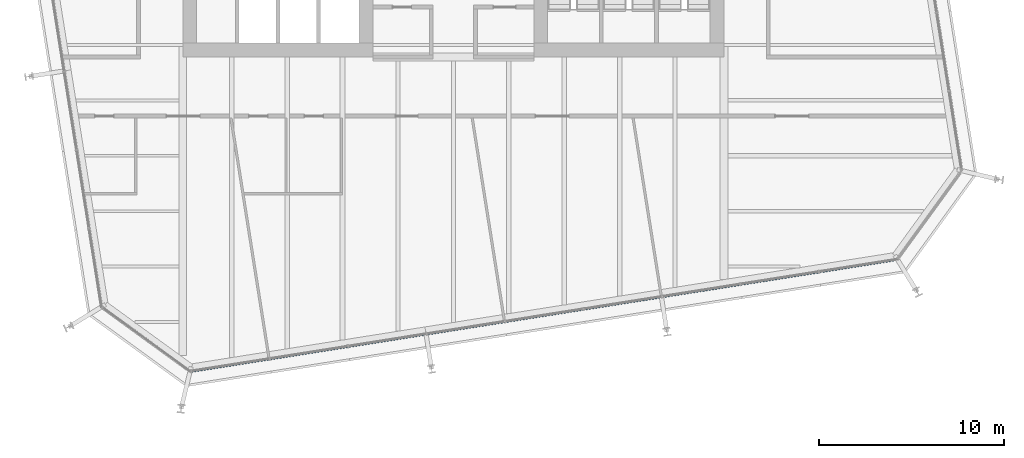
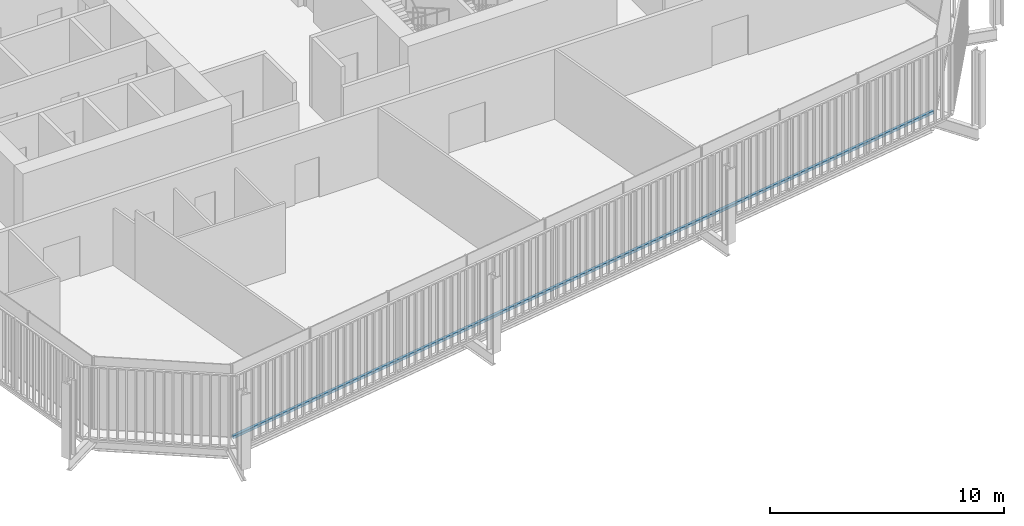
# One storey, part 7 of 21: 1 member, 1 element without a shape of its own.
"""IFC4 building model written with IfcOpenShell, lengths in metres."""

import ifcopenshell
import ifcopenshell.guid

model = None  # the IFC model being written
_history = None  # IfcOwnerHistory: only IFC2X3 demands one
_inside = {}  # id of a spatial element -> (the spatial element, [elements in it])
_under = {}  # id of a project, library or spatial element -> (it, [spatial elements below it])
_declared = {}  # id of a project -> (the project, [libraries it declares])
_typed = {}  # id of a type object -> (the type object, [elements of that type])
_made_of = {}  # id of a material, layer set ... -> (it, [elements and type objects made of it])


def new_model(schema):
    """Start an empty IFC model of exactly this schema.

    Asked for "IFC4X3", IfcOpenShell would pick the latest addendum, in which some entities
    have other attributes; the version numbers below select the first issue.
    IFC2X3 requires an IfcOwnerHistory on every rooted entity: one is made here for all.
    """
    global model, _history
    if schema == "IFC4X3":
        model = ifcopenshell.file(schema_version=(4, 3, 0, 0))
    else:
        model = ifcopenshell.file(schema=schema)
    _inside.clear()
    _under.clear()
    _declared.clear()
    _typed.clear()
    _made_of.clear()
    _history = None
    if model.schema == "IFC2X3":
        org = make("IfcOrganization", Name="unknown")
        user = make(
            "IfcPersonAndOrganization",
            ThePerson=make("IfcPerson", FamilyName="unknown"),
            TheOrganization=org,
        )
        app = make(
            "IfcApplication",
            ApplicationDeveloper=org,
            Version="unknown",
            ApplicationFullName="unknown",
            ApplicationIdentifier="unknown",
        )
        _history = make(
            "IfcOwnerHistory",
            OwningUser=user,
            OwningApplication=app,
            ChangeAction="ADDED",
            CreationDate=0,
        )
    return model


def make(cls, **values):
    """One entity of the class cls with the attributes given. An attribute that is None is left unset."""
    return model.create_entity(
        cls, **{name: value for name, value in values.items() if value is not None}
    )


def rooted(cls, **values):
    """An entity with a GlobalId (a new one), such as an element, a storey or a relation."""
    return make(cls, GlobalId=ifcopenshell.guid.new(), OwnerHistory=_history, **values)


def si_unit(unit_type, name, prefix=None):
    """IfcSIUnit, for example si_unit("LENGTHUNIT", "METRE", prefix="MILLI")."""
    return make("IfcSIUnit", UnitType=unit_type, Prefix=prefix, Name=name)


def assignment(units):
    """IfcUnitAssignment: the units of a project."""
    return None if units is None else make("IfcUnitAssignment", Units=units)


def point(xyz):
    """IfcCartesianPoint."""
    return None if xyz is None else make("IfcCartesianPoint", Coordinates=xyz)


def direction(xyz):
    """IfcDirection."""
    return None if xyz is None else make("IfcDirection", DirectionRatios=xyz)


def frame(location, z_axis=None, x_axis=None):
    """IfcAxis2Placement3D, a coordinate frame: its origin and axes. An axis left out is left unset."""
    return make(
        "IfcAxis2Placement3D",
        Location=point(location),
        Axis=direction(z_axis),
        RefDirection=direction(x_axis),
    )


def frame_2d(location, x_axis=None):
    """IfcAxis2Placement2D, a coordinate frame in the plane: its origin and x axis."""
    return make(
        "IfcAxis2Placement2D", Location=point(location), RefDirection=direction(x_axis)
    )


def origin():
    """The frame at (0, 0, 0) with its axes left unset."""
    return frame((0.0, 0.0, 0.0))


def origin_2d():
    """The frame at (0, 0) in the plane with its x axis left unset."""
    return frame_2d((0.0, 0.0))


def place(relative_to, where):
    """IfcLocalPlacement: puts the frame where relative to a parent placement (None: the world)."""
    return make(
        "IfcLocalPlacement", PlacementRelTo=relative_to, RelativePlacement=where
    )


def context(
    kind, dimensions, precision=None, world=None, true_north=None, identifier=None
):
    """IfcGeometricRepresentationContext, for example the 3D "Model" context."""
    return make(
        "IfcGeometricRepresentationContext",
        ContextIdentifier=identifier,
        ContextType=kind,
        CoordinateSpaceDimension=dimensions,
        Precision=precision,
        WorldCoordinateSystem=world,
        TrueNorth=true_north,
    )


def subcontext(parent, identifier, kind, view, scale=None):
    """IfcGeometricRepresentationSubContext, for example "Body" below "Model"."""
    return make(
        "IfcGeometricRepresentationSubContext",
        ContextIdentifier=identifier,
        ContextType=kind,
        ParentContext=parent,
        TargetScale=scale,
        TargetView=view,
    )


def project(units=None, contexts=None):
    """IfcProject with its units and contexts."""
    return rooted(
        "IfcProject",
        Name="project",
        RepresentationContexts=contexts,
        UnitsInContext=assignment(units),
    )


def spatial(cls, under=None, at=None, **own):
    """A site, building, storey or space (cls), placed at a placement, below another one or the project."""
    s = rooted(cls, ObjectPlacement=at, **own)
    if under is not None:
        _under.setdefault(under.id(), (under, []))[1].append(s)
    return s


def profile(cls, at=None, kind="AREA", **sizes):
    """A parametric profile (cls). Its sizes go by their IFC names, for example OverallWidth=200.0."""
    return make(cls, ProfileType=kind, Position=at, **sizes)


def rectangle(**sizes):
    """IfcRectangleProfileDef."""
    return profile("IfcRectangleProfileDef", **sizes)


def extrude(swept, where, along, depth):
    """IfcExtrudedAreaSolid: the profile swept, set in the frame where, extruded along a direction by depth."""
    return make(
        "IfcExtrudedAreaSolid",
        SweptArea=swept,
        Position=where,
        ExtrudedDirection=direction(along),
        Depth=depth,
    )


def shape(context_of_items, identifier, shape_type, items):
    """IfcShapeRepresentation: the items that make up one representation, for example the "Body"."""
    return make(
        "IfcShapeRepresentation",
        ContextOfItems=context_of_items,
        RepresentationIdentifier=identifier,
        RepresentationType=shape_type,
        Items=items,
    )


def material(Name=None, Category=None):
    """IfcMaterial."""
    return make("IfcMaterial", Name=Name, Category=Category)


def layer(
    of_material, thickness, ventilated=None, Name=None, Category=None, Priority=None
):
    """IfcMaterialLayer: one layer of a wall or slab, of a material (None: an air gap)."""
    return make(
        "IfcMaterialLayer",
        Material=of_material,
        LayerThickness=thickness,
        IsVentilated=ventilated,
        Name=Name,
        Category=Category,
        Priority=Priority,
    )


def layer_set(layers, Name=None):
    """IfcMaterialLayerSet."""
    return make("IfcMaterialLayerSet", MaterialLayers=layers, LayerSetName=Name)


def material_profile(
    of_material, cross_section, Name=None, Category=None, Priority=None
):
    """IfcMaterialProfile: a cross section and its material."""
    return make(
        "IfcMaterialProfile",
        Name=Name,
        Material=of_material,
        Profile=cross_section,
        Priority=Priority,
        Category=Category,
    )


def profile_set(profiles, Name=None, composite=None):
    """IfcMaterialProfileSet."""
    return make(
        "IfcMaterialProfileSet",
        Name=Name,
        MaterialProfiles=profiles,
        CompositeProfile=composite,
    )


def made_of(thing, what):
    """Note that an element or type object is made of a material, layer set ...; save() writes the relation."""
    if what is not None:
        _made_of.setdefault(what.id(), (what, []))[1].append(thing)
    return thing


def type_object(cls, material=None, **own):
    """A type object (cls), such as IfcWallType, which elements share."""
    return made_of(rooted(cls, **own), material)


def element(
    cls,
    number,
    at=None,
    inside=None,
    cuts=None,
    type_object=None,
    material=None,
    context=None,
    identifier="Body",
    shape_type=None,
    held_by="IfcProductDefinitionShape",
    body=None,
    shapes=None,
    **own,
):
    """One element of the class cls, such as IfcWall. Its Tag is "e" and its number.

    at: its placement. inside: the storey or other place that contains it. cuts: it is an
    opening in that element (IfcRelVoidsElement). A single representation is given by context,
    identifier, shape_type and body (its items); several are given by shapes. held_by: the class
    of the entity that holds the representations. save() writes the other relations.
    """
    e = rooted(cls, Tag="e%d" % number, ObjectPlacement=at, **own)
    if body is not None:
        shapes = [shape(context, identifier, shape_type, body)]
    if shapes is not None:
        e.Representation = make(held_by, Representations=shapes)
    if inside is not None:
        _inside.setdefault(inside.id(), (inside, []))[1].append(e)
    if cuts is not None:
        rooted(
            "IfcRelVoidsElement", RelatingBuildingElement=cuts, RelatedOpeningElement=e
        )
    if type_object is not None:
        _typed.setdefault(type_object.id(), (type_object, []))[1].append(e)
    return made_of(e, material)


def aggregate(whole, parts):
    """IfcRelAggregates: a whole, such as a stair, and the parts it consists of."""
    return rooted("IfcRelAggregates", RelatingObject=whole, RelatedObjects=parts)


def save(model, path):
    """Write the relations noted so far, then the file.

    IfcRelAggregates (storeys below a building ...), IfcRelContainedInSpatialStructure (elements
    in a storey), IfcRelDefinesByType, IfcRelAssociatesMaterial and IfcRelDeclares: one each for
    every whole, place, type object, material and project.
    """
    for whole, parts in _under.values():
        aggregate(whole, parts)
    for where, things in _inside.values():
        rooted(
            "IfcRelContainedInSpatialStructure",
            RelatedElements=things,
            RelatingStructure=where,
        )
    for kind, things in _typed.values():
        rooted("IfcRelDefinesByType", RelatedObjects=things, RelatingType=kind)
    for what, things in _made_of.values():
        rooted("IfcRelAssociatesMaterial", RelatedObjects=things, RelatingMaterial=what)
    for by, libraries in _declared.values():
        rooted("IfcRelDeclares", RelatingContext=by, RelatedDefinitions=libraries)
    model.write(path)


model = new_model("IFC4")

# Units and contexts
model_context = context("Model", 3, precision=1e-05, world=origin(), true_north=direction((0.0, 1.0)))
body_context = subcontext(model_context, "Body", "Model", "MODEL_VIEW")
ifc_project = project(units=[si_unit("LENGTHUNIT", "METRE"), si_unit("AREAUNIT", "SQUARE_METRE"), si_unit("VOLUMEUNIT", "CUBIC_METRE"), si_unit("PLANEANGLEUNIT", "RADIAN"), si_unit("MASSUNIT", "GRAM", prefix="KILO")], contexts=[model_context])

# Site, building, storey
site_placement = place(None, origin())
site = spatial("IfcSite", under=ifc_project, at=site_placement, CompositionType="ELEMENT")
building_placement = place(site_placement, origin())
building = spatial("IfcBuilding", under=site, at=building_placement, Name="Millrace Tower", CompositionType="ELEMENT")
storey_placement = place(building_placement, frame((0.0, 0.0, 191.699951171875)))
storey = spatial("IfcBuildingStorey", under=building, at=storey_placement, Name="L43", CompositionType="ELEMENT", Elevation=191.699951171875)

# Curtain wall, member
ifc_material_1 = material(Name="Aluminium and glass", Category="aluminium")
ifc_layer = layer(ifc_material_1, 0.14990234375)
ifc_layer_set = layer_set([ifc_layer], Name="Aluminium and glass")
curtain_wall_type = type_object("IfcCurtainWallType", Name="CW-1 office vision curtain wall", PredefinedType="NOTDEFINED", material=ifc_layer_set)
curtain_wall_placement = place(storey_placement, origin())
curtain_wall = element("IfcCurtainWall", 1, at=curtain_wall_placement, inside=storey, type_object=curtain_wall_type, Name="Curtain wall C-F02 L43", PredefinedType="NOTDEFINED")
ifc_material_2 = material(Name="Aluminium", Category="aluminium")
ifc_material_profile = material_profile(ifc_material_2, rectangle(XDim=0.14990234375, YDim=0.139892578125, at=origin_2d()))
ifc_profile_set = profile_set([ifc_material_profile], Name="Aluminium")
member_type = type_object("IfcMemberType", Name="CW-1 office vision curtain wall transom", PredefinedType="USERDEFINED", material=ifc_profile_set)
member_placement = place(storey_placement, frame((-14.125, -26.64599609375, 0.070068359375), z_axis=(0.987688350509, 0.156434402447, 0.0), x_axis=(-0.156434402447, 0.987688350509, 0.0)))
member = element("IfcMember", 2, at=member_placement, type_object=member_type, Name="CW1 transom C-F02.1", ObjectType="TRANSOM", PredefinedType="USERDEFINED", context=body_context, shape_type="SweptSolid", body=[
    extrude(rectangle(XDim=0.14990234375, YDim=0.139892578125, at=origin_2d()), origin(), (0.0, 0.0, 1.0), 38.499755859375),
])
aggregate(curtain_wall, [member])

save(model, "model.ifc")
